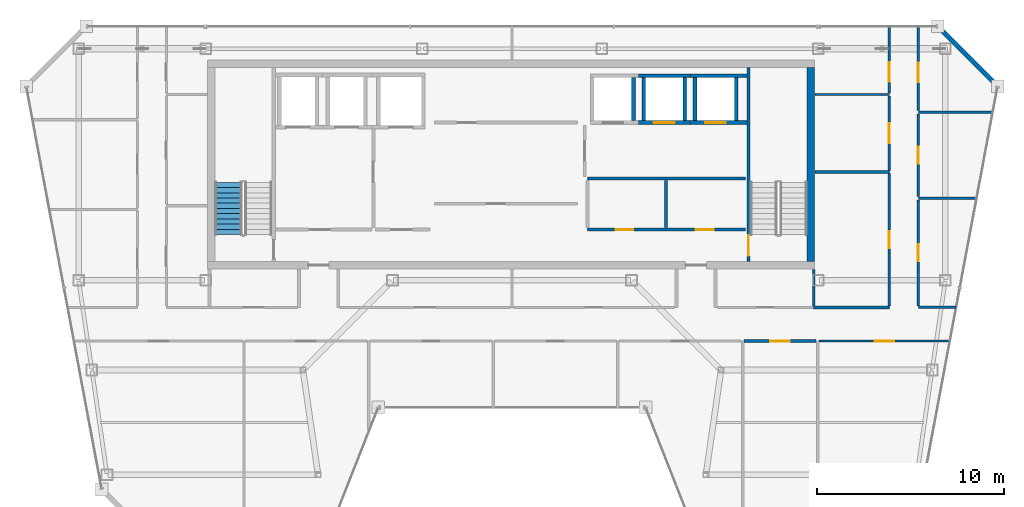
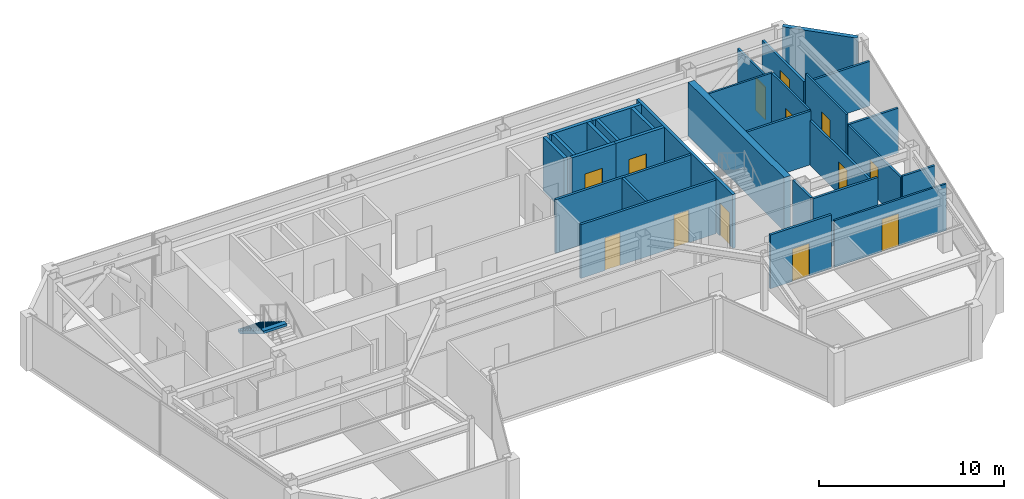
# One storey, part 20 of 23: 30 walls, 13 doors, 1 stair flight, 13 openings, 1 element without a shape of its own.
"""IFC4 building model written with IfcOpenShell, lengths in metres."""

from ifc_helpers import new_model, si_unit, direction, frame, frame_2d, origin, place, context, subcontext, project, spatial, polyline, rectangle, outline, extrude, material, layer, layer_set, type_object, element, fill, aggregate, save


model = new_model("IFC4")

# Units and contexts
model_context = context("Model", 3, precision=1e-05, world=origin(), true_north=direction((0.0, 1.0)))
body_context = subcontext(model_context, "Body", "Model", "MODEL_VIEW")
ifc_project = project(units=[si_unit("LENGTHUNIT", "METRE"), si_unit("AREAUNIT", "SQUARE_METRE"), si_unit("VOLUMEUNIT", "CUBIC_METRE"), si_unit("PLANEANGLEUNIT", "RADIAN"), si_unit("MASSUNIT", "GRAM", prefix="KILO")], contexts=[model_context])

# Site, building, storey
site_placement = place(None, origin())
site = spatial("IfcSite", under=ifc_project, at=site_placement, CompositionType="ELEMENT")
building_placement = place(site_placement, origin())
building = spatial("IfcBuilding", under=site, at=building_placement, Name="Saevonmaru Cultural Tower", CompositionType="ELEMENT")
storey_placement = place(building_placement, frame((0.0, 0.0, 283.800048828125)))
storey = spatial("IfcBuildingStorey", under=building, at=storey_placement, Name="L67", CompositionType="ELEMENT", Elevation=283.800048828125)

# Wall
ifc_material_1 = material(Name="Concrete C50/60", Category="concrete")
ifc_layer_1 = layer(ifc_material_1, 0.39990234375, Name="Concrete C50/60")
ifc_layer_set_1 = layer_set([ifc_layer_1], Name="Concrete C50/60")
wall_type_1 = type_object("IfcWallType", Name="WL-CORE-400", PredefinedType="SHEAR", material=ifc_layer_set_1)
wall_1_placement = place(storey_placement, frame((46.0, 43.39990234375, 0.0), z_axis=(0.0, 0.0, 1.0), x_axis=(0.0, 1.0, 0.0)))
element("IfcWall", 1, at=wall_1_placement, inside=storey, type_object=wall_type_1, Name="L67 Tower RC core shear wall E", PredefinedType="SHEAR", context=body_context, shape_type="SweptSolid", body=[
    extrude(rectangle(XDim=10.400146484375, YDim=0.39990234375, at=frame_2d((5.2001953125, 0.0))), origin(), (0.0, 0.0, 1.0), 3.550048828125),
])

# Wall, openings, doors
ifc_material_2 = material(Name="Gypsum Fireboard Partition", Category="gypsum")
ifc_layer_2 = layer(ifc_material_2, 0.14990234375, Name="Gypsum Fireboard Partition")
ifc_layer_set_2 = layer_set([ifc_layer_2], Name="Gypsum Fireboard Partition")
wall_type_2 = type_object("IfcWallType", Name="WL-CORE-PART-150", PredefinedType="PARTITIONING", material=ifc_layer_set_2)
wall_2_placement = place(storey_placement, frame((34.050048828125, 45.1201171875, 0.0), z_axis=(0.0, 0.0, 1.0), x_axis=(1.0, 0.0, 0.0)))
wall_2 = element("IfcWall", 2, at=wall_2_placement, inside=storey, type_object=wall_type_2, Name="L67 Core Plant South Wall", PredefinedType="PARTITIONING", context=body_context, shape_type="SweptSolid", body=[
    extrude(rectangle(XDim=8.449951171875, YDim=0.14990234375, at=frame_2d((4.22509765625, 0.0))), origin(), (0.0, 0.0, 1.0), 3.550048828125),
])
opening_1_placement = place(wall_2_placement, frame((1.5, 0.0, 0.0)))
opening_1 = element("IfcOpeningElement", 3, at=opening_1_placement, cuts=wall_2, Name="Opening FD-4", PredefinedType="OPENING", context=body_context, shape_type="SweptSolid", body=[
    extrude(rectangle(XDim=0.949951171875, YDim=2.14990234375, at=frame_2d((0.47509765625, 1.074951171875))), frame((0.0, 0.0849609375, 0.0), z_axis=(0.0, -1.0, 0.0), x_axis=(1.0, 0.0, 0.0)), (0.0, 0.0, 1.0), 0.169921875),
])
opening_2_placement = place(wall_2_placement, frame((5.800048828125, 0.0, 0.0)))
opening_2 = element("IfcOpeningElement", 4, at=opening_2_placement, cuts=wall_2, Name="Opening FD-4", PredefinedType="OPENING", context=body_context, shape_type="SweptSolid", body=[
    extrude(rectangle(XDim=0.949951171875, YDim=2.14990234375, at=frame_2d((0.47509765625, 1.074951171875))), frame((0.0, 0.0849609375, 0.0), z_axis=(0.0, -1.0, 0.0), x_axis=(1.0, 0.0, 0.0)), (0.0, 0.0, 1.0), 0.169921875),
])
ifc_material_3 = material(Name="Satin Bronze Anodised Aluminium", Category="aluminium")
door_type_1 = type_object("IfcDoorType", Name="DR-FD60-950", OperationType="SINGLE_SWING_LEFT", PredefinedType="DOOR", material=ifc_material_3)
door_1_placement = place(opening_1_placement, origin())
door_1 = element("IfcDoor", 5, at=door_1_placement, inside=storey, type_object=door_type_1, Name="L67 Floor AHU Plant Door", OperationType="SINGLE_SWING_LEFT", OverallHeight=2.14990234375, OverallWidth=0.949951171875, PredefinedType="DOOR", context=body_context, shape_type="SweptSolid", body=[
    extrude(rectangle(XDim=0.949951171875, YDim=2.14990234375, at=frame_2d((0.47509765625, 1.074951171875))), frame((0.0, 0.02490234375, 0.0), z_axis=(0.0, -1.0, 0.0), x_axis=(1.0, 0.0, 0.0)), (0.0, 0.0, 1.0), 0.050048828125),
])
fill(opening_1, door_1)
door_2_placement = place(opening_2_placement, origin())
door_2 = element("IfcDoor", 6, at=door_2_placement, inside=storey, type_object=door_type_1, Name="L67 Housekeeping Storage Door", OperationType="SINGLE_SWING_LEFT", OverallHeight=2.14990234375, OverallWidth=0.949951171875, PredefinedType="DOOR", context=body_context, shape_type="SweptSolid", body=[
    extrude(rectangle(XDim=0.949951171875, YDim=2.14990234375, at=frame_2d((0.47509765625, 1.074951171875))), frame((0.0, 0.02490234375, 0.0), z_axis=(0.0, -1.0, 0.0), x_axis=(1.0, 0.0, 0.0)), (0.0, 0.0, 1.0), 0.050048828125),
])
fill(opening_2, door_2)

# Walls
wall_3_placement = place(storey_placement, frame((34.050048828125, 47.85009765625, 0.0), z_axis=(0.0, 0.0, 1.0), x_axis=(1.0, 0.0, 0.0)))
element("IfcWall", 7, at=wall_3_placement, inside=storey, type_object=wall_type_2, Name="L67 Core Plant North Wall", PredefinedType="PARTITIONING", context=body_context, shape_type="SweptSolid", body=[
    extrude(rectangle(XDim=8.449951171875, YDim=0.14990234375, at=frame_2d((4.22509765625, 0.0))), origin(), (0.0, 0.0, 1.0), 3.550048828125),
])
wall_4_placement = place(storey_placement, frame((38.25, 45.219970703125, 0.0), z_axis=(0.0, 0.0, 1.0), x_axis=(0.0, 1.0, 0.0)))
element("IfcWall", 8, at=wall_4_placement, inside=storey, type_object=wall_type_2, Name="L67 Core Plant Split", PredefinedType="PARTITIONING", context=body_context, shape_type="SweptSolid", body=[
    extrude(rectangle(XDim=2.530029296875, YDim=0.14990234375, at=frame_2d((1.26513671875, 0.0))), origin(), (0.0, 0.0, 1.0), 3.550048828125),
])
ifc_material_4 = material(Name="Granite-Clad Precast Concrete C40/50", Category="masonry")
ifc_layer_3 = layer(ifc_material_4, 0.260009765625, Name="Granite-Clad Precast Concrete C40/50")
ifc_layer_set_3 = layer_set([ifc_layer_3], Name="Granite-Clad Precast Concrete C40/50")
wall_type_3 = type_object("IfcWallType", Name="WL-EXT-SPANDREL-260", PredefinedType="STANDARD", material=ifc_layer_set_3)
wall_5_placement = place(storey_placement, frame((55.886962890625, 52.9130859375, 0.0), z_axis=(0.0, 0.0, 1.0), x_axis=(-0.707106781187, 0.707106781187, 0.0)))
element("IfcWall", 9, at=wall_5_placement, inside=storey, type_object=wall_type_3, Name="L67 Chamfer Corner Spandrel Wall E9", PredefinedType="STANDARD", context=body_context, shape_type="SweptSolid", body=[
    extrude(rectangle(XDim=4.205810546875, YDim=0.260009765625, at=frame_2d((2.10302734375, 0.0))), origin(), (0.0, 0.0, 1.0), 3.550048828125),
])

# Wall, opening, door
ifc_layer_4 = layer(ifc_material_2, 0.14990234375, Name="Gypsum Fireboard Partition")
ifc_layer_set_4 = layer_set([ifc_layer_4], Name="Gypsum Fireboard Partition")
wall_type_4 = type_object("IfcWallType", Name="WL-PART-FIRE-150", PredefinedType="PARTITIONING", material=ifc_layer_set_4)
wall_6_placement = place(storey_placement, frame((51.75, 51.487548828125, 0.0), z_axis=(0.0, 0.0, 1.0), x_axis=(0.0, 1.0, 0.0)))
wall_6 = element("IfcWall", 10, at=wall_6_placement, inside=storey, type_object=wall_type_4, Name="L67 East Asian Ceramics Gallery Corridor Wall", PredefinedType="PARTITIONING", context=body_context, shape_type="SweptSolid", body=[
    extrude(rectangle(XDim=4.507568359375, YDim=0.14990234375, at=frame_2d((2.25390625, 0.0))), origin(), (0.0, 0.0, 1.0), 2.93505859375),
])
opening_3_placement = place(wall_6_placement, frame((1.509033203125, 0.0, 0.0)))
opening_3 = element("IfcOpeningElement", 11, at=opening_3_placement, cuts=wall_6, Name="Opening ID-1", PredefinedType="OPENING", context=body_context, shape_type="SweptSolid", body=[
    extrude(rectangle(XDim=1.050048828125, YDim=2.14990234375, at=frame_2d((0.52490234375, 1.074951171875))), frame((0.0, 0.0849609375, 0.0), z_axis=(0.0, -1.0, 0.0), x_axis=(1.0, 0.0, 0.0)), (0.0, 0.0, 1.0), 0.169921875),
])
door_type_2 = type_object("IfcDoorType", Name="DR-INT-1050", OperationType="SINGLE_SWING_LEFT", PredefinedType="DOOR", material=ifc_material_3)
door_3_placement = place(opening_3_placement, origin())
door_3 = element("IfcDoor", 12, at=door_3_placement, inside=storey, type_object=door_type_2, Name="L67 East Asian Ceramics Gallery Door", OperationType="SINGLE_SWING_LEFT", OverallHeight=2.14990234375, OverallWidth=1.050048828125, PredefinedType="DOOR", context=body_context, shape_type="SweptSolid", body=[
    extrude(rectangle(XDim=1.050048828125, YDim=2.14990234375, at=frame_2d((0.52490234375, 1.074951171875))), frame((0.0, 0.02490234375, 0.0), z_axis=(0.0, -1.0, 0.0), x_axis=(1.0, 0.0, 0.0)), (0.0, 0.0, 1.0), 0.050048828125),
])
fill(opening_3, door_3)

wall_7_placement = place(storey_placement, frame((42.429931640625, 39.14990234375, 0.0), z_axis=(0.0, 0.0, 1.0), x_axis=(1.0, 0.0, 0.0)))
wall_7 = element("IfcWall", 13, at=wall_7_placement, inside=storey, type_object=wall_type_4, Name="L67 East Asian Ceramics Gallery Corridor Wall", PredefinedType="PARTITIONING", context=body_context, shape_type="SweptSolid", body=[
    extrude(rectangle(XDim=3.842529296875, YDim=0.14990234375, at=frame_2d((1.92138671875, 0.0))), origin(), (0.0, 0.0, 1.0), 3.550048828125),
])
opening_4_placement = place(wall_7_placement, frame((1.39599609375, 0.0, 0.0)))
opening_4 = element("IfcOpeningElement", 14, at=opening_4_placement, cuts=wall_7, Name="Opening ID-1", PredefinedType="OPENING", context=body_context, shape_type="SweptSolid", body=[
    extrude(rectangle(XDim=1.050048828125, YDim=2.14990234375, at=frame_2d((0.52490234375, 1.074951171875))), frame((0.0, 0.0849609375, 0.0), z_axis=(0.0, -1.0, 0.0), x_axis=(1.0, 0.0, 0.0)), (0.0, 0.0, 1.0), 0.169921875),
])
door_4_placement = place(opening_4_placement, origin())
door_4 = element("IfcDoor", 15, at=door_4_placement, inside=storey, type_object=door_type_2, Name="L67 East Asian Ceramics Gallery Door", OperationType="SINGLE_SWING_LEFT", OverallHeight=2.14990234375, OverallWidth=1.050048828125, PredefinedType="DOOR", context=body_context, shape_type="SweptSolid", body=[
    extrude(rectangle(XDim=1.050048828125, YDim=2.14990234375, at=frame_2d((0.52490234375, 1.074951171875))), frame((0.0, 0.02490234375, 0.0), z_axis=(0.0, -1.0, 0.0), x_axis=(1.0, 0.0, 0.0)), (0.0, 0.0, 1.0), 0.050048828125),
])
fill(opening_4, door_4)

# Wall
ifc_layer_5 = layer(ifc_material_2, 0.1201171875, Name="Gypsum Fireboard Partition")
ifc_layer_set_5 = layer_set([ifc_layer_5], Name="Gypsum Fireboard Partition")
wall_type_5 = type_object("IfcWallType", Name="WL-PART-GYP-120", PredefinedType="PARTITIONING", material=ifc_layer_set_5)
wall_8_placement = place(storey_placement, frame((46.219970703125, 52.35009765625, 0.0), z_axis=(0.0, 0.0, 1.0), x_axis=(1.0, 0.0, 0.0)))
element("IfcWall", 16, at=wall_8_placement, inside=storey, type_object=wall_type_5, Name="L67 North-East Panorama South Wall", PredefinedType="PARTITIONING", context=body_context, shape_type="SweptSolid", body=[
    extrude(rectangle(XDim=3.97998046875, YDim=0.1201171875, at=frame_2d((1.989990234375, 0.0))), origin(), (0.0, 0.0, 1.0), 3.550048828125),
])

# Wall, opening, door
wall_9_placement = place(storey_placement, frame((50.199951171875, 48.2900390625, 0.0), z_axis=(0.0, 0.0, 1.0), x_axis=(0.0, 1.0, 0.0)))
wall_9 = element("IfcWall", 17, at=wall_9_placement, inside=storey, type_object=wall_type_5, Name="L67 Rare Folio Reading Room Corridor Wall", PredefinedType="PARTITIONING", context=body_context, shape_type="SweptSolid", body=[
    extrude(rectangle(XDim=3.97998046875, YDim=0.1201171875, at=frame_2d((1.989990234375, 0.0))), origin(), (0.0, 0.0, 1.0), 3.550048828125),
])
opening_5_placement = place(wall_9_placement, frame((1.465087890625, 0.0, 0.0)))
opening_5 = element("IfcOpeningElement", 18, at=opening_5_placement, cuts=wall_9, Name="Opening ID-1", PredefinedType="OPENING", context=body_context, shape_type="SweptSolid", body=[
    extrude(rectangle(XDim=1.050048828125, YDim=2.14990234375, at=frame_2d((0.52490234375, 1.074951171875))), frame((0.0, 0.070068359375, 0.0), z_axis=(0.0, -1.0, 0.0), x_axis=(1.0, 0.0, 0.0)), (0.0, 0.0, 1.0), 0.14013671875),
])
door_5_placement = place(opening_5_placement, origin())
door_5 = element("IfcDoor", 19, at=door_5_placement, inside=storey, type_object=door_type_2, Name="L67 Rare Folio Reading Room Door", OperationType="SINGLE_SWING_LEFT", OverallHeight=2.14990234375, OverallWidth=1.050048828125, PredefinedType="DOOR", context=body_context, shape_type="SweptSolid", body=[
    extrude(rectangle(XDim=1.050048828125, YDim=2.14990234375, at=frame_2d((0.52490234375, 1.074951171875))), frame((0.0, 0.02490234375, 0.0), z_axis=(0.0, -1.0, 0.0), x_axis=(1.0, 0.0, 0.0)), (0.0, 0.0, 1.0), 0.050048828125),
])
fill(opening_5, door_5)

wall_10_placement = place(storey_placement, frame((50.199951171875, 52.429931640625, 0.0), z_axis=(0.0, 0.0, 1.0), x_axis=(0.0, 1.0, 0.0)))
wall_10 = element("IfcWall", 20, at=wall_10_placement, inside=storey, type_object=wall_type_5, Name="L67 Art History Reading Room Corridor Wall", PredefinedType="PARTITIONING", context=body_context, shape_type="SweptSolid", body=[
    extrude(rectangle(XDim=3.565185546875, YDim=0.1201171875, at=frame_2d((1.78271484375, 0.0))), origin(), (0.0, 0.0, 1.0), 2.93505859375),
])
opening_6_placement = place(wall_10_placement, frame((0.596923828125, 0.0, 0.0)))
opening_6 = element("IfcOpeningElement", 21, at=opening_6_placement, cuts=wall_10, Name="Opening ID-1", PredefinedType="OPENING", context=body_context, shape_type="SweptSolid", body=[
    extrude(rectangle(XDim=1.050048828125, YDim=2.14990234375, at=frame_2d((0.52490234375, 1.074951171875))), frame((0.0, 0.070068359375, 0.0), z_axis=(0.0, -1.0, 0.0), x_axis=(1.0, 0.0, 0.0)), (0.0, 0.0, 1.0), 0.14013671875),
])
door_6_placement = place(opening_6_placement, origin())
door_6 = element("IfcDoor", 22, at=door_6_placement, inside=storey, type_object=door_type_2, Name="L67 Art History Reading Room Door", OperationType="SINGLE_SWING_RIGHT", OverallHeight=2.14990234375, OverallWidth=1.050048828125, PredefinedType="DOOR", context=body_context, shape_type="SweptSolid", body=[
    extrude(rectangle(XDim=1.050048828125, YDim=2.14990234375, at=frame_2d((0.52490234375, 1.074951171875))), frame((0.0, 0.02490234375, 0.0), z_axis=(0.0, -1.0, 0.0), x_axis=(1.0, 0.0, 0.0)), (0.0, 0.0, 1.0), 0.050048828125),
])
fill(opening_6, door_6)

wall_11_placement = place(storey_placement, frame((51.75, 41.03759765625, 0.0), z_axis=(0.0, 0.0, 1.0), x_axis=(0.0, 1.0, 0.0)))
wall_11 = element("IfcWall", 23, at=wall_11_placement, inside=storey, type_object=wall_type_5, Name="L67 Calligraphy Teaching Studio Corridor Wall", PredefinedType="PARTITIONING", context=body_context, shape_type="SweptSolid", body=[
    extrude(rectangle(XDim=5.6748046875, YDim=0.1201171875, at=frame_2d((2.83740234375, 0.0))), origin(), (0.0, 0.0, 1.0), 2.947021484375),
])
opening_7_placement = place(wall_11_placement, frame((2.386962890625, 0.0, 0.0)))
opening_7 = element("IfcOpeningElement", 24, at=opening_7_placement, cuts=wall_11, Name="Opening ID-2", PredefinedType="OPENING", context=body_context, shape_type="SweptSolid", body=[
    extrude(rectangle(XDim=0.89990234375, YDim=2.10009765625, at=frame_2d((0.449951171875, 1.050048828125))), frame((0.0, 0.070068359375, 0.0), z_axis=(0.0, -1.0, 0.0), x_axis=(1.0, 0.0, 0.0)), (0.0, 0.0, 1.0), 0.14013671875),
])
ifc_material_5 = material(Name="Acoustic Stained Oak Timber", Category="wood")
door_type_3 = type_object("IfcDoorType", Name="DR-INT-900", OperationType="SINGLE_SWING_RIGHT", PredefinedType="DOOR", material=ifc_material_5)
door_7_placement = place(opening_7_placement, origin())
door_7 = element("IfcDoor", 25, at=door_7_placement, inside=storey, type_object=door_type_3, Name="L67 Calligraphy Teaching Studio Door", OperationType="SINGLE_SWING_LEFT", OverallHeight=2.10009765625, OverallWidth=0.89990234375, PredefinedType="DOOR", context=body_context, shape_type="SweptSolid", body=[
    extrude(rectangle(XDim=0.89990234375, YDim=2.10009765625, at=frame_2d((0.449951171875, 1.050048828125))), frame((0.0, 0.02490234375, 0.0), z_axis=(0.0, -1.0, 0.0), x_axis=(1.0, 0.0, 0.0)), (0.0, 0.0, 1.0), 0.050048828125),
])
fill(opening_7, door_7)

wall_12_placement = place(storey_placement, frame((51.75, 46.887451171875, 0.0), z_axis=(0.0, 0.0, 1.0), x_axis=(0.0, 1.0, 0.0)))
wall_12 = element("IfcWall", 26, at=wall_12_placement, inside=storey, type_object=wall_type_5, Name="L67 Curatorial Board Meeting Room Corridor Wall", PredefinedType="PARTITIONING", context=body_context, shape_type="SweptSolid", body=[
    extrude(rectangle(XDim=4.425048828125, YDim=0.1201171875, at=frame_2d((2.21240234375, 0.0))), origin(), (0.0, 0.0, 1.0), 3.550048828125),
])
opening_8_placement = place(wall_12_placement, frame((1.761962890625, 0.0, 0.0)))
opening_8 = element("IfcOpeningElement", 27, at=opening_8_placement, cuts=wall_12, Name="Opening ID-2", PredefinedType="OPENING", context=body_context, shape_type="SweptSolid", body=[
    extrude(rectangle(XDim=0.89990234375, YDim=2.10009765625, at=frame_2d((0.449951171875, 1.050048828125))), frame((0.0, 0.070068359375, 0.0), z_axis=(0.0, -1.0, 0.0), x_axis=(1.0, 0.0, 0.0)), (0.0, 0.0, 1.0), 0.14013671875),
])
door_8_placement = place(opening_8_placement, origin())
door_8 = element("IfcDoor", 28, at=door_8_placement, inside=storey, type_object=door_type_3, Name="L67 Curatorial Board Meeting Room Door", OperationType="SINGLE_SWING_RIGHT", OverallHeight=2.10009765625, OverallWidth=0.89990234375, PredefinedType="DOOR", context=body_context, shape_type="SweptSolid", body=[
    extrude(rectangle(XDim=0.89990234375, YDim=2.10009765625, at=frame_2d((0.449951171875, 1.050048828125))), frame((0.0, 0.02490234375, 0.0), z_axis=(0.0, -1.0, 0.0), x_axis=(1.0, 0.0, 0.0)), (0.0, 0.0, 1.0), 0.050048828125),
])
fill(opening_8, door_8)

wall_13_placement = place(storey_placement, frame((46.447509765625, 39.14990234375, 0.0), z_axis=(0.0, 0.0, 1.0), x_axis=(1.0, 0.0, 0.0)))
wall_13 = element("IfcWall", 29, at=wall_13_placement, inside=storey, type_object=wall_type_5, Name="L67 Rare Folio Reading Room Corridor Wall", PredefinedType="PARTITIONING", context=body_context, shape_type="SweptSolid", body=[
    extrude(rectangle(XDim=6.99169921875, YDim=0.1201171875, at=frame_2d((3.495849609375, 0.0))), origin(), (0.0, 0.0, 1.0), 3.0849609375),
])
opening_9_placement = place(wall_13_placement, frame((2.970947265625, 0.0, 0.0)))
opening_9 = element("IfcOpeningElement", 30, at=opening_9_placement, cuts=wall_13, Name="Opening ID-1", PredefinedType="OPENING", context=body_context, shape_type="SweptSolid", body=[
    extrude(rectangle(XDim=1.050048828125, YDim=2.14990234375, at=frame_2d((0.52490234375, 1.074951171875))), frame((0.0, 0.070068359375, 0.0), z_axis=(0.0, -1.0, 0.0), x_axis=(1.0, 0.0, 0.0)), (0.0, 0.0, 1.0), 0.14013671875),
])
door_9_placement = place(opening_9_placement, origin())
door_9 = element("IfcDoor", 31, at=door_9_placement, inside=storey, type_object=door_type_2, Name="L67 Rare Folio Reading Room Door", OperationType="SINGLE_SWING_RIGHT", OverallHeight=2.14990234375, OverallWidth=1.050048828125, PredefinedType="DOOR", context=body_context, shape_type="SweptSolid", body=[
    extrude(rectangle(XDim=1.050048828125, YDim=2.14990234375, at=frame_2d((0.52490234375, 1.074951171875))), frame((0.0, 0.02490234375, 0.0), z_axis=(0.0, -1.0, 0.0), x_axis=(1.0, 0.0, 0.0)), (0.0, 0.0, 1.0), 0.050048828125),
])
fill(opening_9, door_9)

# Walls
ifc_layer_6 = layer(ifc_material_2, 0.135009765625, Name="Gypsum Fireboard Partition")
ifc_layer_set_6 = layer_set([ifc_layer_6], Name="Gypsum Fireboard Partition")
wall_type_6 = type_object("IfcWallType", Name="WL-PART-GYP-135", PredefinedType="PARTITIONING", material=ifc_layer_set_6)
wall_14_placement = place(storey_placement, frame((51.75, 40.949951171875, 0.0), z_axis=(0.0, 0.0, 1.0), x_axis=(1.0, 0.0, 0.0)))
element("IfcWall", 32, at=wall_14_placement, inside=storey, type_object=wall_type_6, Name="L67 NE Wing South Wall", PredefinedType="PARTITIONING", context=body_context, shape_type="SweptSolid", body=[
    extrude(rectangle(XDim=2.026123046875, YDim=0.135009765625, at=frame_2d((1.01318359375, 0.0))), origin(), (0.0, 0.0, 1.0), 3.0849609375),
])
wall_15_placement = place(storey_placement, frame((51.75, 46.800048828125, 0.0), z_axis=(0.0, 0.0, 1.0), x_axis=(1.0, 0.0, 0.0)))
element("IfcWall", 33, at=wall_15_placement, inside=storey, type_object=wall_type_6, Name="L67 NE Studio Divider 1", PredefinedType="PARTITIONING", context=body_context, shape_type="SweptSolid", body=[
    extrude(rectangle(XDim=3.12158203125, YDim=0.135009765625, at=frame_2d((1.560791015625, 0.0))), origin(), (0.0, 0.0, 1.0), 2.947021484375),
])
wall_16_placement = place(storey_placement, frame((51.75, 51.39990234375, 0.0), z_axis=(0.0, 0.0, 1.0), x_axis=(1.0, 0.0, 0.0)))
element("IfcWall", 34, at=wall_16_placement, inside=storey, type_object=wall_type_6, Name="L67 NE Studio Divider 2", PredefinedType="PARTITIONING", context=body_context, shape_type="SweptSolid", body=[
    extrude(rectangle(XDim=3.98291015625, YDim=0.135009765625, at=frame_2d((1.991455078125, 0.0))), origin(), (0.0, 0.0, 1.0), 2.947021484375),
])
ifc_layer_7 = layer(ifc_material_2, 0.139892578125, Name="Gypsum Fireboard Partition")
ifc_layer_set_7 = layer_set([ifc_layer_7], Name="Gypsum Fireboard Partition")
wall_type_7 = type_object("IfcWallType", Name="WL-PART-WET-140", PredefinedType="PARTITIONING", material=ifc_layer_set_7)
wall_17_placement = place(storey_placement, frame((46.14990234375, 40.949951171875, 0.0), z_axis=(0.0, 0.0, 1.0), x_axis=(1.0, 0.0, 0.0)))
element("IfcWall", 35, at=wall_17_placement, inside=storey, type_object=wall_type_7, Name="L67 Washroom South Wall", PredefinedType="PARTITIONING", context=body_context, shape_type="SweptSolid", body=[
    extrude(rectangle(XDim=4.050048828125, YDim=0.139892578125, at=frame_2d((2.02490234375, 0.0))), origin(), (0.0, 0.0, 1.0), 3.550048828125),
])
wall_18_placement = place(storey_placement, frame((46.14990234375, 41.0400390625, 0.0), z_axis=(0.0, 0.0, 1.0), x_axis=(0.0, 1.0, 0.0)))
element("IfcWall", 36, at=wall_18_placement, inside=storey, type_object=wall_type_7, Name="L67 Washroom South-West Return", PredefinedType="PARTITIONING", context=body_context, shape_type="SweptSolid", body=[
    extrude(rectangle(XDim=1.93994140625, YDim=0.139892578125, at=frame_2d((0.969970703125, 0.0))), origin(), (0.0, 0.0, 1.0), 3.550048828125),
])
wall_19_placement = place(storey_placement, frame((46.219970703125, 48.199951171875, 0.0), z_axis=(0.0, 0.0, 1.0), x_axis=(1.0, 0.0, 0.0)))
element("IfcWall", 37, at=wall_19_placement, inside=storey, type_object=wall_type_7, Name="L67 Washroom North Wall", PredefinedType="PARTITIONING", context=body_context, shape_type="SweptSolid", body=[
    extrude(rectangle(XDim=3.97998046875, YDim=0.139892578125, at=frame_2d((1.989990234375, 0.0))), origin(), (0.0, 0.0, 1.0), 3.550048828125),
])

# Wall, opening, door
wall_20_placement = place(storey_placement, frame((50.199951171875, 41.0400390625, 0.0), z_axis=(0.0, 0.0, 1.0), x_axis=(0.0, 1.0, 0.0)))
wall_20 = element("IfcWall", 38, at=wall_20_placement, inside=storey, type_object=wall_type_7, Name="L67 Washroom Corridor Wall", PredefinedType="PARTITIONING", context=body_context, shape_type="SweptSolid", body=[
    extrude(rectangle(XDim=7.070068359375, YDim=0.139892578125, at=frame_2d((3.53515625, 0.0))), origin(), (0.0, 0.0, 1.0), 2.947021484375),
])
opening_10_placement = place(wall_20_placement, frame((3.0849609375, 0.0, 0.0)))
opening_10 = element("IfcOpeningElement", 39, at=opening_10_placement, cuts=wall_20, Name="Opening ID-2", PredefinedType="OPENING", context=body_context, shape_type="SweptSolid", body=[
    extrude(rectangle(XDim=0.89990234375, YDim=2.10009765625, at=frame_2d((0.449951171875, 1.050048828125))), frame((0.0, 0.080078125, 0.0), z_axis=(0.0, -1.0, 0.0), x_axis=(1.0, 0.0, 0.0)), (0.0, 0.0, 1.0), 0.159912109375),
])
door_10_placement = place(opening_10_placement, origin())
door_10 = element("IfcDoor", 40, at=door_10_placement, inside=storey, type_object=door_type_3, Name="L67 Public Accessible Washrooms Door", OperationType="SINGLE_SWING_RIGHT", OverallHeight=2.10009765625, OverallWidth=0.89990234375, PredefinedType="DOOR", context=body_context, shape_type="SweptSolid", body=[
    extrude(rectangle(XDim=0.89990234375, YDim=2.10009765625, at=frame_2d((0.449951171875, 1.050048828125))), frame((0.0, 0.02490234375, 0.0), z_axis=(0.0, -1.0, 0.0), x_axis=(1.0, 0.0, 0.0)), (0.0, 0.0, 1.0), 0.050048828125),
])
fill(opening_10, door_10)

# Wall
ifc_material_6 = material(Name="Concrete C40/50", Category="concrete")
ifc_layer_8 = layer(ifc_material_6, 0.199951171875, Name="Concrete C40/50")
ifc_layer_set_8 = layer_set([ifc_layer_8], Name="Concrete C40/50")
wall_type_8 = type_object("IfcWallType", Name="WL-SHAFT-200", PredefinedType="SHEAR", material=ifc_layer_set_8)
wall_21_placement = place(storey_placement, frame((36.5, 50.949951171875, 0.0), z_axis=(0.0, 0.0, 1.0), x_axis=(0.0, 1.0, 0.0)))
element("IfcWall", 41, at=wall_21_placement, inside=storey, type_object=wall_type_8, Name="L67 Lift PL-H1 Hoistway Wall E", PredefinedType="SHEAR", context=body_context, shape_type="SweptSolid", body=[
    extrude(rectangle(XDim=2.300048828125, YDim=0.199951171875, at=frame_2d((1.14990234375, 0.0))), origin(), (0.0, 0.0, 1.0), 3.550048828125),
])

# Wall, opening, door
wall_22_placement = place(storey_placement, frame((36.77490234375, 50.85009765625, 0.0), z_axis=(0.0, 0.0, 1.0), x_axis=(1.0, 0.0, 0.0)))
wall_22 = element("IfcWall", 42, at=wall_22_placement, inside=storey, type_object=wall_type_8, Name="L67 Lift PL-H2 Hoistway Wall S", PredefinedType="SHEAR", context=body_context, shape_type="SweptSolid", body=[
    extrude(rectangle(XDim=2.75, YDim=0.199951171875, at=frame_2d((1.375, 0.0))), origin(), (0.0, 0.0, 1.0), 3.550048828125),
])
opening_11_placement = place(wall_22_placement, frame((0.824951171875, 0.0, 0.0)))
opening_11 = element("IfcOpeningElement", 43, at=opening_11_placement, cuts=wall_22, Name="Opening LD-1", PredefinedType="OPENING", context=body_context, shape_type="SweptSolid", body=[
    extrude(rectangle(XDim=1.10009765625, YDim=2.199951171875, at=frame_2d((0.550048828125, 1.10009765625))), frame((0.0, 0.10986328125, 0.0), z_axis=(0.0, -1.0, 0.0), x_axis=(1.0, 0.0, 0.0)), (0.0, 0.0, 1.0), 0.219970703125),
])
ifc_material_7 = material(Name="Satin Bronze Stainless Steel", Category="steel")
door_type_4 = type_object("IfcDoorType", Name="DR-LIFT-1100", OperationType="SLIDING_TO_LEFT", PredefinedType="DOOR", material=ifc_material_7)
door_11_placement = place(opening_11_placement, origin())
door_11 = element("IfcDoor", 44, at=door_11_placement, inside=storey, type_object=door_type_4, Name="L67 Lift PL-H2 Sliding Landing Door", OperationType="SLIDING_TO_LEFT", OverallHeight=2.199951171875, OverallWidth=1.10009765625, PredefinedType="DOOR", context=body_context, shape_type="SweptSolid", body=[
    extrude(rectangle(XDim=1.10009765625, YDim=2.199951171875, at=frame_2d((0.550048828125, 1.10009765625))), frame((0.0, 0.02490234375, 0.0), z_axis=(0.0, -1.0, 0.0), x_axis=(1.0, 0.0, 0.0)), (0.0, 0.0, 1.0), 0.050048828125),
])
fill(opening_11, door_11)

# Walls
wall_23_placement = place(storey_placement, frame((36.77490234375, 53.35009765625, 0.0), z_axis=(0.0, 0.0, 1.0), x_axis=(1.0, 0.0, 0.0)))
element("IfcWall", 45, at=wall_23_placement, inside=storey, type_object=wall_type_8, Name="L67 Lift PL-H2 Hoistway Wall N", PredefinedType="SHEAR", context=body_context, shape_type="SweptSolid", body=[
    extrude(rectangle(XDim=2.75, YDim=0.199951171875, at=frame_2d((1.375, 0.0))), origin(), (0.0, 0.0, 1.0), 3.550048828125),
])
for number, where, z_axis, x_axis, name in (
    (46, (37.050048828125, 50.949951171875, 0.0), (0.0, 0.0, 1.0), (0.0, 1.0, 0.0), "L67 Lift PL-H2 Hoistway Wall W"),
    (47, (39.25, 50.949951171875, 0.0), (0.0, 0.0, 1.0), (0.0, 1.0, 0.0), "L67 Lift PL-H2 Hoistway Wall E"),
):
    element("IfcWall", number, at=place(storey_placement, frame(where, z_axis=z_axis, x_axis=x_axis)), inside=storey, type_object=wall_type_8, Name=name, PredefinedType="SHEAR", context=body_context, shape_type="SweptSolid", body=[
        extrude(rectangle(XDim=2.300048828125, YDim=0.199951171875, at=frame_2d((1.14990234375, 0.0))), origin(), (0.0, 0.0, 1.0), 3.550048828125),
    ])

# Wall, opening, door
wall_24_placement = place(storey_placement, frame((39.52490234375, 50.85009765625, 0.0), z_axis=(0.0, 0.0, 1.0), x_axis=(1.0, 0.0, 0.0)))
wall_24 = element("IfcWall", 48, at=wall_24_placement, inside=storey, type_object=wall_type_8, Name="L67 Lift PL-H3 Hoistway Wall S", PredefinedType="SHEAR", context=body_context, shape_type="SweptSolid", body=[
    extrude(rectangle(XDim=3.045166015625, YDim=0.199951171875, at=frame_2d((1.5224609375, 0.0))), origin(), (0.0, 0.0, 1.0), 3.550048828125),
])
opening_12_placement = place(wall_24_placement, frame((0.824951171875, 0.0, 0.0)))
opening_12 = element("IfcOpeningElement", 49, at=opening_12_placement, cuts=wall_24, Name="Opening LD-1", PredefinedType="OPENING", context=body_context, shape_type="SweptSolid", body=[
    extrude(rectangle(XDim=1.10009765625, YDim=2.199951171875, at=frame_2d((0.550048828125, 1.10009765625))), frame((0.0, 0.10986328125, 0.0), z_axis=(0.0, -1.0, 0.0), x_axis=(1.0, 0.0, 0.0)), (0.0, 0.0, 1.0), 0.219970703125),
])
door_12_placement = place(opening_12_placement, origin())
door_12 = element("IfcDoor", 50, at=door_12_placement, inside=storey, type_object=door_type_4, Name="L67 Lift PL-H3 Sliding Landing Door", OperationType="SLIDING_TO_LEFT", OverallHeight=2.199951171875, OverallWidth=1.10009765625, PredefinedType="DOOR", context=body_context, shape_type="SweptSolid", body=[
    extrude(rectangle(XDim=1.10009765625, YDim=2.199951171875, at=frame_2d((0.550048828125, 1.10009765625))), frame((0.0, 0.02490234375, 0.0), z_axis=(0.0, -1.0, 0.0), x_axis=(1.0, 0.0, 0.0)), (0.0, 0.0, 1.0), 0.050048828125),
])
fill(opening_12, door_12)

# Walls
wall_25_placement = place(storey_placement, frame((39.52490234375, 53.35009765625, 0.0), z_axis=(0.0, 0.0, 1.0), x_axis=(1.0, 0.0, 0.0)))
element("IfcWall", 51, at=wall_25_placement, inside=storey, type_object=wall_type_8, Name="L67 Lift PL-H3 Hoistway Wall N", PredefinedType="SHEAR", context=body_context, shape_type="SweptSolid", body=[
    extrude(rectangle(XDim=3.045166015625, YDim=0.199951171875, at=frame_2d((1.5224609375, 0.0))), origin(), (0.0, 0.0, 1.0), 3.550048828125),
])
for number, where, z_axis, x_axis, name in (
    (52, (39.800048828125, 50.949951171875, 0.0), (0.0, 0.0, 1.0), (0.0, 1.0, 0.0), "L67 Lift PL-H3 Hoistway Wall W"),
    (53, (42.0, 50.949951171875, 0.0), (0.0, 0.0, 1.0), (0.0, 1.0, 0.0), "L67 Lift PL-H3 Hoistway Wall E"),
):
    element("IfcWall", number, at=place(storey_placement, frame(where, z_axis=z_axis, x_axis=x_axis)), inside=storey, type_object=wall_type_8, Name=name, PredefinedType="SHEAR", context=body_context, shape_type="SweptSolid", body=[
        extrude(rectangle(XDim=2.300048828125, YDim=0.199951171875, at=frame_2d((1.14990234375, 0.0))), origin(), (0.0, 0.0, 1.0), 3.550048828125),
    ])

# Wall, opening, door
ifc_layer_9 = layer(ifc_material_6, 0.179931640625, Name="Concrete C40/50")
ifc_layer_set_9 = layer_set([ifc_layer_9], Name="Concrete C40/50")
wall_type_9 = type_object("IfcWallType", Name="WL-STSHAFT-180", PredefinedType="SHEAR", material=ifc_layer_set_9)
wall_26_placement = place(storey_placement, frame((42.659912109375, 53.800048828125, 0.0), z_axis=(0.0, 0.0, 1.0), x_axis=(0.0, -1.0, 0.0)))
wall_26 = element("IfcWall", 54, at=wall_26_placement, inside=storey, type_object=wall_type_9, Name="L67 Stair ST-2 Structural Shaft Wall 1", PredefinedType="SHEAR", context=body_context, shape_type="SweptSolid", body=[
    extrude(rectangle(XDim=10.400146484375, YDim=0.179931640625, at=frame_2d((5.2001953125, 0.0))), origin(), (0.0, 0.0, 1.0), 3.550048828125),
])
opening_13_placement = place(wall_26_placement, frame((8.989990234375, 0.0, 0.0)))
opening_13 = element("IfcOpeningElement", 55, at=opening_13_placement, cuts=wall_26, Name="Opening FD-2", PredefinedType="OPENING", context=body_context, shape_type="SweptSolid", body=[
    extrude(rectangle(XDim=1.10009765625, YDim=2.14990234375, at=frame_2d((0.550048828125, 1.074951171875))), frame((0.0, 0.10009765625, 0.0), z_axis=(0.0, -1.0, 0.0), x_axis=(1.0, 0.0, 0.0)), (0.0, 0.0, 1.0), 0.199951171875),
])
door_type_5 = type_object("IfcDoorType", Name="DR-FD60-1100", OperationType="SINGLE_SWING_LEFT", PredefinedType="DOOR", material=ifc_material_3)
door_13_placement = place(opening_13_placement, origin())
door_13 = element("IfcDoor", 56, at=door_13_placement, inside=storey, type_object=door_type_5, Name="L67 Protected Stair ST-2 Fire Door", OperationType="SINGLE_SWING_LEFT", OverallHeight=2.14990234375, OverallWidth=1.10009765625, PredefinedType="DOOR", context=body_context, shape_type="SweptSolid", body=[
    extrude(rectangle(XDim=1.10009765625, YDim=2.14990234375, at=frame_2d((0.550048828125, 1.074951171875))), frame((0.0, 0.02490234375, 0.0), z_axis=(0.0, -1.0, 0.0), x_axis=(1.0, 0.0, 0.0)), (0.0, 0.0, 1.0), 0.050048828125),
])
fill(opening_13, door_13)

# Stair, stair flight
stair_type = type_object("IfcStairType", Name="STR-DOGLEG-RC", PredefinedType="HALF_TURN_STAIR", material=ifc_material_6)
stair_placement = place(storey_placement, origin())
stair = element("IfcStair", 57, at=stair_placement, inside=storey, type_object=stair_type, Name="L67 Protected exit stair ST-1", PredefinedType="HALF_TURN_STAIR")
ifc_material_8 = material(Name="Precast concrete C40/50", Category="concrete")
stair_flight_type = type_object("IfcStairFlightType", Name="STF-PRECAST-180", PredefinedType="STRAIGHT", material=ifc_material_8)
stair_flight_placement = place(storey_placement, frame((14.824951171875, 47.64990234375, 1.89990234375), z_axis=(0.0, 0.0, 1.0), x_axis=(0.0, -1.0, 0.0)))
stair_flight = element("IfcStairFlight", 58, at=stair_flight_placement, type_object=stair_flight_type, Name="ST-1-L67 flight 2", NumberOfRisers=11, NumberOfTreads=10, PredefinedType="STRAIGHT", RiserHeight=0.172727273, TreadLength=0.28, context=body_context, shape_type="SweptSolid", body=[
    extrude(outline(polyline([(0.0, 0.0), (0.0, 0.172607421875), (0.280029296875, 0.172607421875), (0.280029296875, 0.345458984375), (0.56005859375, 0.345458984375), (0.56005859375, 0.51806640625), (0.840087890625, 0.51806640625), (0.840087890625, 0.69091796875), (1.1201171875, 0.69091796875), (1.1201171875, 0.863525390625), (1.39990234375, 0.863525390625), (1.39990234375, 1.036376953125), (1.679931640625, 1.036376953125), (1.679931640625, 1.208984375), (1.9599609375, 1.208984375), (1.9599609375, 1.3818359375), (2.239990234375, 1.3818359375), (2.239990234375, 1.554443359375), (2.52001953125, 1.554443359375), (2.52001953125, 1.727294921875), (2.800048828125, 1.727294921875), (2.800048828125, 1.89990234375), (2.800048828125, 1.551025390625), (0.285400390625, 0.0), (0.0, 0.0)])), frame((0.0, 0.72509765625, 0.0), z_axis=(0.0, -1.0, 0.0), x_axis=(1.0, 0.0, 0.0)), (0.0, 0.0, 1.0), 1.449951171875),
])
aggregate(stair, [stair_flight])

save(model, "model.ifc")
